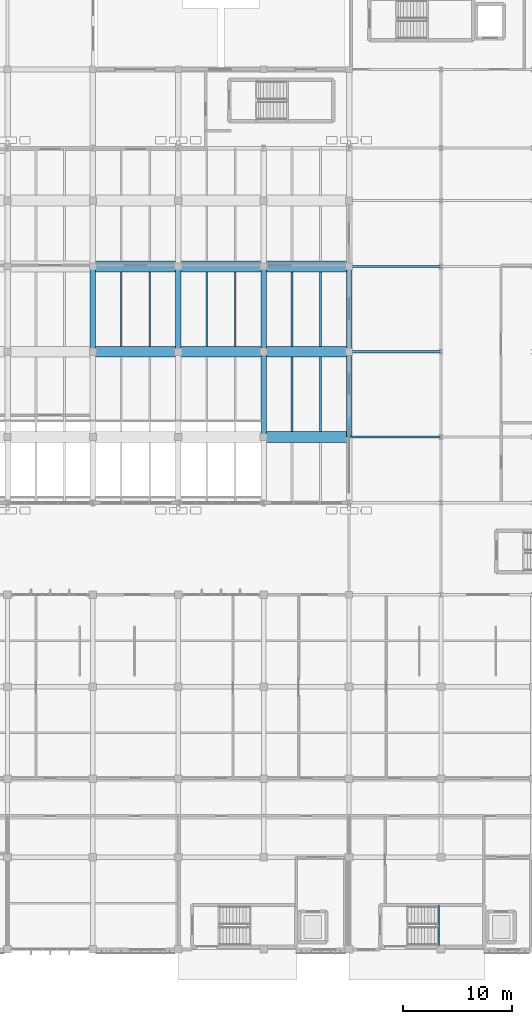
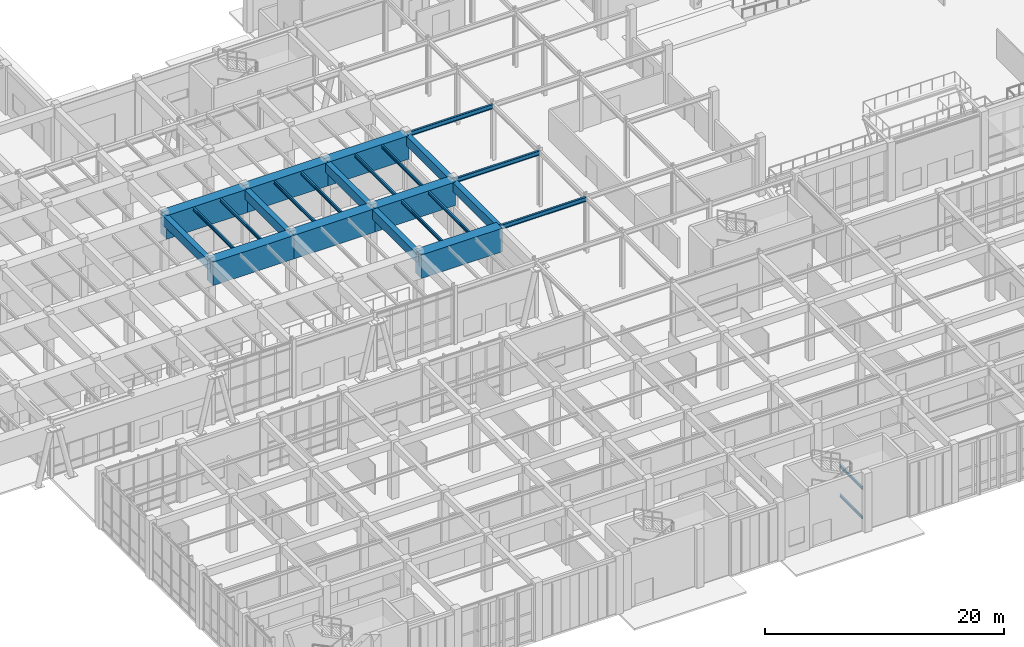
# One storey, part 25 of 110: 26 beams.
"""IFC4 building model written with IfcOpenShell, lengths in metres."""

from ifc_helpers import new_model, si_unit, direction, frame, origin, origin_2d, place, context, subcontext, project, spatial, rectangle, i_section, extrude, material, material_profile, profile_set, type_object, element, save


model = new_model("IFC4")

# Units and contexts
model_context = context("Model", 3, precision=1e-05, world=origin(), true_north=direction((0.0, 1.0)))
body_context = subcontext(model_context, "Body", "Model", "MODEL_VIEW")
ifc_project = project(units=[si_unit("LENGTHUNIT", "METRE"), si_unit("AREAUNIT", "SQUARE_METRE"), si_unit("VOLUMEUNIT", "CUBIC_METRE"), si_unit("PLANEANGLEUNIT", "RADIAN"), si_unit("MASSUNIT", "GRAM", prefix="KILO")], contexts=[model_context])

# Site, building, storey
site_placement = place(None, origin())
site = spatial("IfcSite", under=ifc_project, at=site_placement, CompositionType="ELEMENT")
building_placement = place(site_placement, origin())
building = spatial("IfcBuilding", under=site, at=building_placement, Name="Tizgana Railside Sports Hall", CompositionType="ELEMENT")
storey_placement = place(building_placement, origin())
storey = spatial("IfcBuildingStorey", under=building, at=storey_placement, Name="L00", CompositionType="ELEMENT", Elevation=0.0)

# Beams
ifc_material_1 = material(Name="Concrete C40/50", Category="concrete")
ifc_material_profile_1 = material_profile(ifc_material_1, rectangle(XDim=0.5, YDim=0.949951171875, at=origin_2d()), Name="RCB 500x950")
ifc_profile_set_1 = profile_set([ifc_material_profile_1], Name="Concrete C40/50")
beam_type_1 = type_object("IfcBeamType", Name="Concrete Beam RCB 500x950", PredefinedType="BEAM", material=ifc_profile_set_1)
for number, where, z_axis, x_axis, name in (
    (1, (31.199951171875, 54.60009765625, 5.160888671875), (0.0, 1.0, 0.0), (-1.0, 0.0, 0.0), "L00 BEM-0157"),
    (2, (39.0, 54.60009765625, 5.160888671875), (0.0, 1.0, 0.0), (-1.0, 0.0, 0.0), "L00 BEM-0163"),
):
    element("IfcBeam", number, at=place(storey_placement, frame(where, z_axis=z_axis, x_axis=x_axis)), inside=storey, type_object=beam_type_1, Name=name, PredefinedType="BEAM", context=body_context, shape_type="SweptSolid", body=[
        extrude(rectangle(XDim=0.5, YDim=0.949951171875, at=origin_2d()), origin(), (0.0, 0.0, 1.0), 7.7998046875),
    ])
beam_1_placement = place(storey_placement, frame((46.800048828125, 46.800048828125, 5.160888671875), z_axis=(0.0, 1.0, 0.0), x_axis=(-1.0, 0.0, 0.0)))
element("IfcBeam", 3, at=beam_1_placement, inside=storey, type_object=beam_type_1, Name="L00 BEM-0168", PredefinedType="BEAM", context=body_context, shape_type="SweptSolid", body=[
    extrude(rectangle(XDim=0.5, YDim=0.949951171875, at=origin_2d()), origin(), (0.0, 0.0, 1.0), 7.800048828125),
])
beam_2_placement = place(storey_placement, frame((46.800048828125, 54.60009765625, 5.160888671875), z_axis=(0.0, 1.0, 0.0), x_axis=(-1.0, 0.0, 0.0)))
element("IfcBeam", 4, at=beam_2_placement, inside=storey, type_object=beam_type_1, Name="L00 BEM-0169", PredefinedType="BEAM", context=body_context, shape_type="SweptSolid", body=[
    extrude(rectangle(XDim=0.5, YDim=0.949951171875, at=origin_2d()), origin(), (0.0, 0.0, 1.0), 7.7998046875),
])
beam_3_placement = place(storey_placement, frame((54.60009765625, 46.800048828125, 5.160888671875), z_axis=(0.0, 1.0, 0.0), x_axis=(-1.0, 0.0, 0.0)))
element("IfcBeam", 5, at=beam_3_placement, inside=storey, type_object=beam_type_1, Name="L00 BEM-0173", PredefinedType="BEAM", context=body_context, shape_type="SweptSolid", body=[
    extrude(rectangle(XDim=0.5, YDim=0.949951171875, at=origin_2d()), origin(), (0.0, 0.0, 1.0), 7.800048828125),
])
beam_4_placement = place(storey_placement, frame((54.60009765625, 54.60009765625, 5.160888671875), z_axis=(0.0, 1.0, 0.0), x_axis=(-1.0, 0.0, 0.0)))
element("IfcBeam", 6, at=beam_4_placement, inside=storey, type_object=beam_type_1, Name="L00 BEM-0174", PredefinedType="BEAM", context=body_context, shape_type="SweptSolid", body=[
    extrude(rectangle(XDim=0.5, YDim=0.949951171875, at=origin_2d()), origin(), (0.0, 0.0, 1.0), 7.7998046875),
])
ifc_material_profile_2 = material_profile(ifc_material_1, rectangle(XDim=1.0, YDim=2.39990234375, at=origin_2d()), Name="PTG 1000x2400")
ifc_profile_set_2 = profile_set([ifc_material_profile_2], Name="Concrete C40/50")
beam_type_2 = type_object("IfcBeamType", Name="Post-Tensioned Girder PTG 1000x2400", PredefinedType="BEAM", material=ifc_profile_set_2)
for number, where, z_axis, x_axis, name in (
    (7, (46.800048828125, 46.800048828125, 4.43603515625), (1.0, 0.0, 0.0), (0.0, 1.0, 0.0), "L00 BEM-0102"),
    (8, (31.199951171875, 54.60009765625, 4.43603515625), (1.0, 0.0, 0.0), (0.0, 1.0, 0.0), "L00 BEM-0106"),
    (9, (39.0, 54.60009765625, 4.43603515625), (1.0, 0.0, 0.0), (0.0, 1.0, 0.0), "L00 BEM-0107"),
    (10, (46.800048828125, 54.60009765625, 4.43603515625), (1.0, 0.0, 0.0), (0.0, 1.0, 0.0), "L00 BEM-0108"),
    (11, (31.199951171875, 62.39990234375, 4.43603515625), (1.0, 0.0, 0.0), (0.0, 1.0, 0.0), "L00 BEM-0112"),
    (12, (39.0, 62.39990234375, 4.43603515625), (1.0, 0.0, 0.0), (0.0, 1.0, 0.0), "L00 BEM-0113"),
    (13, (46.800048828125, 62.39990234375, 4.43603515625), (1.0, 0.0, 0.0), (0.0, 1.0, 0.0), "L00 BEM-0114"),
):
    element("IfcBeam", number, at=place(storey_placement, frame(where, z_axis=z_axis, x_axis=x_axis)), inside=storey, type_object=beam_type_2, Name=name, PredefinedType="BEAM", context=body_context, shape_type="SweptSolid", body=[
        extrude(rectangle(XDim=1.0, YDim=2.39990234375, at=origin_2d()), origin(), (0.0, 0.0, 1.0), 7.800048828125),
    ])
ifc_material_2 = material(Name="Steel S355J2", Category="steel")
ifc_material_profile_3 = material_profile(ifc_material_2, i_section(OverallWidth=0.1298828125, OverallDepth=0.27001953125, WebThickness=0.006591796875, FlangeThickness=0.01025390625, FilletRadius=0.014892578125, at=origin_2d()), Name="IPE 270")
ifc_profile_set_3 = profile_set([ifc_material_profile_3], Name="Steel S355J2")
beam_type_3 = type_object("IfcBeamType", Name="Stair Mid-Landing Header IPE 270", PredefinedType="JOIST", material=ifc_profile_set_3)
for number, where, z_axis, x_axis, name in (
    (14, (62.800048828125, 0.25, 1.1630859375), (0.0, 1.0, 0.0), (-1.0, 0.0, 0.0), "L00 C3 Mid Header 1"),
    (15, (62.800048828125, 0.25, 4.1630859375), (0.0, 1.0, 0.0), (-1.0, 0.0, 0.0), "L00 C3 Mid Header 3"),
):
    element("IfcBeam", number, at=place(storey_placement, frame(where, z_axis=z_axis, x_axis=x_axis)), inside=storey, type_object=beam_type_3, Name=name, PredefinedType="JOIST", context=body_context, shape_type="SweptSolid", body=[
        extrude(i_section(OverallWidth=0.1298828125, OverallDepth=0.27001953125, WebThickness=0.006591796875, FlangeThickness=0.01025390625, FilletRadius=0.014892578125, at=origin_2d()), origin(), (0.0, 0.0, 1.0), 3.800048828125),
    ])
ifc_material_profile_4 = material_profile(ifc_material_2, i_section(OverallWidth=0.18994140625, OverallDepth=0.449951171875, WebThickness=0.009521484375, FlangeThickness=0.0146484375, FilletRadius=0.02099609375, at=origin_2d()), Name="IPE 450")
ifc_profile_set_4 = profile_set([ifc_material_profile_4], Name="Steel S355J2")
beam_type_4 = type_object("IfcBeamType", Name="Steel Beam IPE 450", PredefinedType="BEAM", material=ifc_profile_set_4)
for number, where, z_axis, x_axis, name in (
    (16, (54.60009765625, 46.800048828125, 5.410888671875), (1.0, 0.0, 0.0), (0.0, 1.0, 0.0), "L00 BEM-0928"),
    (17, (54.60009765625, 54.60009765625, 5.410888671875), (1.0, 0.0, 0.0), (0.0, 1.0, 0.0), "L00 BEM-0929"),
    (18, (54.60009765625, 62.39990234375, 5.410888671875), (1.0, 0.0, 0.0), (0.0, 1.0, 0.0), "L00 BEM-0930"),
):
    element("IfcBeam", number, at=place(storey_placement, frame(where, z_axis=z_axis, x_axis=x_axis)), inside=storey, type_object=beam_type_4, Name=name, PredefinedType="BEAM", context=body_context, shape_type="SweptSolid", body=[
        extrude(i_section(OverallWidth=0.18994140625, OverallDepth=0.449951171875, WebThickness=0.009521484375, FlangeThickness=0.0146484375, FilletRadius=0.02099609375, at=origin_2d()), origin(), (0.0, 0.0, 1.0), 8.39990234375),
    ])
ifc_material_profile_5 = material_profile(ifc_material_2, i_section(OverallWidth=0.159912109375, OverallDepth=0.330078125, WebThickness=0.007568359375, FlangeThickness=0.011474609375, FilletRadius=0.01806640625, at=origin_2d()), Name="IPE 330")
ifc_profile_set_5 = profile_set([ifc_material_profile_5], Name="Steel S355J2")
beam_type_5 = type_object("IfcBeamType", Name="Steel Joist IPE 330", PredefinedType="JOIST", material=ifc_profile_set_5)
for number, where, z_axis, x_axis, name in (
    (19, (33.800048828125, 55.094970703125, 5.470947265625), (0.0, 1.0, 0.0), (-1.0, 0.0, 0.0), "L00 BEM-0220"),
    (20, (36.39990234375, 55.094970703125, 5.470947265625), (0.0, 1.0, 0.0), (-1.0, 0.0, 0.0), "L00 BEM-0225"),
    (21, (41.60009765625, 55.094970703125, 5.470947265625), (0.0, 1.0, 0.0), (-1.0, 0.0, 0.0), "L00 BEM-0230"),
    (22, (44.199951171875, 55.094970703125, 5.470947265625), (0.0, 1.0, 0.0), (-1.0, 0.0, 0.0), "L00 BEM-0235"),
    (23, (49.39990234375, 47.294921875, 5.470947265625), (0.0, 1.0, 0.0), (-1.0, 0.0, 0.0), "L00 BEM-0239"),
    (24, (49.39990234375, 55.094970703125, 5.470947265625), (0.0, 1.0, 0.0), (-1.0, 0.0, 0.0), "L00 BEM-0240"),
    (25, (52.0, 47.294921875, 5.470947265625), (0.0, 1.0, 0.0), (-1.0, 0.0, 0.0), "L00 BEM-0244"),
    (26, (52.0, 55.094970703125, 5.470947265625), (0.0, 1.0, 0.0), (-1.0, 0.0, 0.0), "L00 BEM-0245"),
):
    element("IfcBeam", number, at=place(storey_placement, frame(where, z_axis=z_axis, x_axis=x_axis)), inside=storey, type_object=beam_type_5, Name=name, PredefinedType="JOIST", context=body_context, shape_type="SweptSolid", body=[
        extrude(i_section(OverallWidth=0.159912109375, OverallDepth=0.330078125, WebThickness=0.007568359375, FlangeThickness=0.011474609375, FilletRadius=0.01806640625, at=origin_2d()), origin(), (0.0, 0.0, 1.0), 6.81005859375),
    ])

save(model, "model.ifc")
